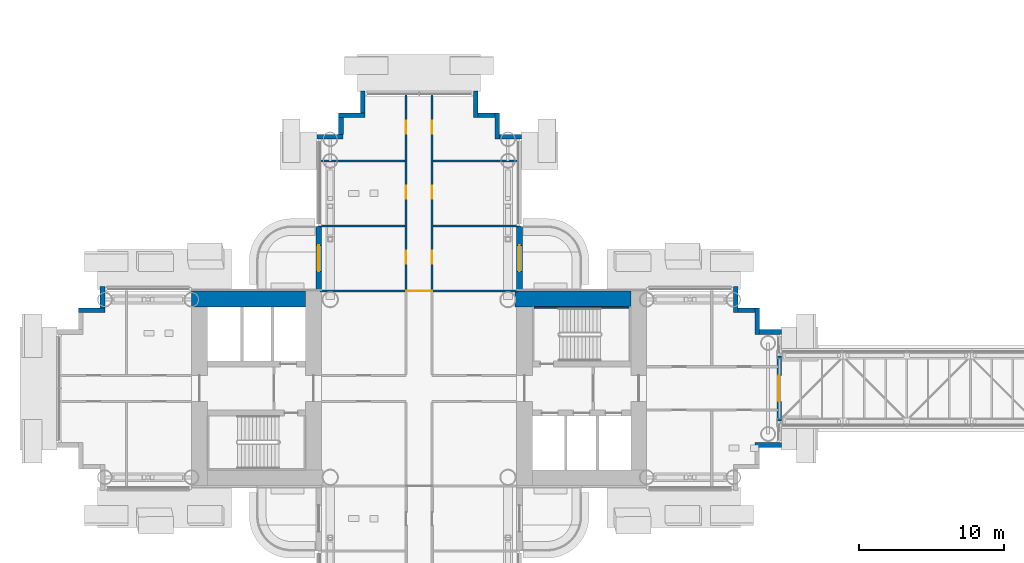
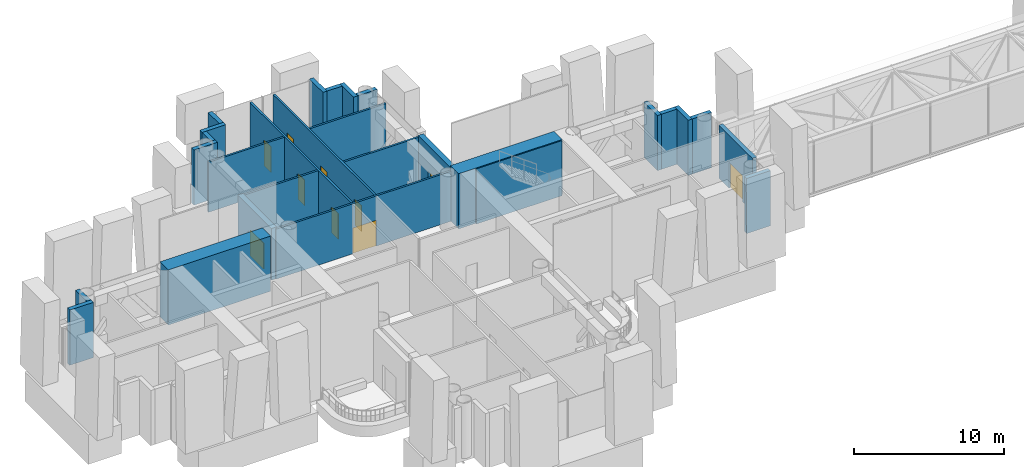
# One storey, part 15 of 27: 28 walls, 10 doors, 10 openings.
"""IFC4 building model written with IfcOpenShell, lengths in metres."""

from ifc_helpers import new_model, si_unit, direction, frame, frame_2d, origin, place, context, subcontext, project, spatial, rectangle, extrude, material, layer, layer_set, type_object, element, fill, save


model = new_model("IFC4")

# Units and contexts
model_context = context("Model", 3, precision=1e-05, world=origin(), true_north=direction((0.0, 1.0)))
body_context = subcontext(model_context, "Body", "Model", "MODEL_VIEW")
ifc_project = project(units=[si_unit("LENGTHUNIT", "METRE"), si_unit("AREAUNIT", "SQUARE_METRE"), si_unit("VOLUMEUNIT", "CUBIC_METRE"), si_unit("PLANEANGLEUNIT", "RADIAN"), si_unit("MASSUNIT", "GRAM", prefix="KILO")], contexts=[model_context])

# Site, building, storey
site_placement = place(None, origin())
site = spatial("IfcSite", under=ifc_project, at=site_placement, CompositionType="ELEMENT")
building_placement = place(site_placement, origin())
building = spatial("IfcBuilding", under=site, at=building_placement, Name="Ipe Terrace Towers", CompositionType="ELEMENT")
storey_placement = place(building_placement, frame((0.0, 0.0, 72.10009765625)))
storey = spatial("IfcBuildingStorey", under=building, at=storey_placement, Name="L19", CompositionType="ELEMENT", Elevation=72.10009765625)

# Wall, opening, door
ifc_material_1 = material(Name="Concrete C40/50 with buff precast cladding", Category="concrete")
ifc_layer_1 = layer(ifc_material_1, 0.39990234375)
ifc_layer_set_1 = layer_set([ifc_layer_1], Name="BALCONY BAY WALL 400")
wall_type_1 = type_object("IfcWallType", Name="BALCONY BAY WALL 400", PredefinedType="STANDARD", material=ifc_layer_set_1)
wall_1_placement = place(storey_placement, frame((-29.050048828125, 6.75, -0.02001953125), z_axis=(0.0, 0.0, 1.0), x_axis=(0.0, 1.0, 0.0)))
wall_1 = element("IfcWall", 1, at=wall_1_placement, inside=storey, type_object=wall_type_1, Name="T1-W-L19-32a wall", PredefinedType="STANDARD", context=body_context, shape_type="SweptSolid", body=[
    extrude(rectangle(XDim=4.5, YDim=0.39990234375, at=frame_2d((2.25, 0.0))), origin(), (0.0, 0.0, 1.0), 4.219970703125),
])
opening_1_placement = place(wall_1_placement, frame((1.35009765625, 0.0, 0.02001953125)))
opening_1 = element("IfcOpeningElement", 2, at=opening_1_placement, cuts=wall_1, Name="Opening T1-D-L19-32", PredefinedType="OPENING", context=body_context, shape_type="SweptSolid", body=[
    extrude(rectangle(XDim=1.800048828125, YDim=2.10009765625, at=frame_2d((0.89990234375, 1.050048828125))), frame((0.0, 0.2099609375, 0.0), z_axis=(0.0, -1.0, 0.0), x_axis=(1.0, 0.0, 0.0)), (0.0, 0.0, 1.0), 0.419921875),
])
ifc_material_2 = material(Name="Aluminium alloy 6063-T6 framed glazed door", Category="aluminium")
door_type_1 = type_object("IfcDoorType", Name="BALCONY DOOR 1800 x 2100 LEFT", OperationType="SINGLE_SWING_LEFT", PredefinedType="DOOR", material=ifc_material_2)
door_1_placement = place(opening_1_placement, origin())
door_1 = element("IfcDoor", 3, at=door_1_placement, inside=storey, type_object=door_type_1, Name="DB1 door", OperationType="SINGLE_SWING_LEFT", OverallHeight=2.10009765625, OverallWidth=1.800048828125, PredefinedType="DOOR", context=body_context, shape_type="SweptSolid", body=[
    extrude(rectangle(XDim=1.800048828125, YDim=2.10009765625, at=frame_2d((0.89990234375, 1.050048828125))), frame((0.0, 0.02490234375, 0.0), z_axis=(0.0, -1.0, 0.0), x_axis=(1.0, 0.0, 0.0)), (0.0, 0.0, 1.0), 0.050048828125),
])
fill(opening_1, door_1)

wall_2_placement = place(storey_placement, frame((-42.949951171875, 11.25, -0.02001953125), z_axis=(0.0, 0.0, 1.0), x_axis=(0.0, -1.0, 0.0)))
wall_2 = element("IfcWall", 4, at=wall_2_placement, inside=storey, type_object=wall_type_1, Name="T1-W-L19-44a wall", PredefinedType="STANDARD", context=body_context, shape_type="SweptSolid", body=[
    extrude(rectangle(XDim=4.5, YDim=0.39990234375, at=frame_2d((2.25, 0.0))), origin(), (0.0, 0.0, 1.0), 4.219970703125),
])
opening_2_placement = place(wall_2_placement, frame((1.35009765625, 0.0, 0.02001953125)))
opening_2 = element("IfcOpeningElement", 5, at=opening_2_placement, cuts=wall_2, Name="Opening T1-D-L19-44", PredefinedType="OPENING", context=body_context, shape_type="SweptSolid", body=[
    extrude(rectangle(XDim=1.800048828125, YDim=2.10009765625, at=frame_2d((0.89990234375, 1.050048828125))), frame((0.0, 0.2099609375, 0.0), z_axis=(0.0, -1.0, 0.0), x_axis=(1.0, 0.0, 0.0)), (0.0, 0.0, 1.0), 0.419921875),
])
door_2_placement = place(opening_2_placement, origin())
door_2 = element("IfcDoor", 6, at=door_2_placement, inside=storey, type_object=door_type_1, Name="DB1 door", OperationType="SINGLE_SWING_LEFT", OverallHeight=2.10009765625, OverallWidth=1.800048828125, PredefinedType="DOOR", context=body_context, shape_type="SweptSolid", body=[
    extrude(rectangle(XDim=1.800048828125, YDim=2.10009765625, at=frame_2d((0.89990234375, 1.050048828125))), frame((0.0, 0.02490234375, 0.0), z_axis=(0.0, -1.0, 0.0), x_axis=(1.0, 0.0, 0.0)), (0.0, 0.0, 1.0), 0.050048828125),
])
fill(opening_2, door_2)

# Wall
ifc_material_3 = material(Name="Concrete C40/50 with buff precast cladding", Category="concrete")
ifc_layer_2 = layer(ifc_material_3, 0.320068359375)
ifc_layer_set_2 = layer_set([ifc_layer_2], Name="BUFF CLADDING WALL 320")
wall_type_2 = type_object("IfcWallType", Name="BUFF CLADDING WALL 320", PredefinedType="STANDARD", material=ifc_layer_set_2)
wall_3_placement = place(storey_placement, frame((-12.75, -3.909912109375, -0.300048828125), z_axis=(0.0, 0.0, 1.0), x_axis=(1.0, 0.0, 0.0)))
element("IfcWall", 7, at=wall_3_placement, inside=storey, type_object=wall_type_2, Name="T1-W-L19-24a wall", PredefinedType="STANDARD", context=body_context, shape_type="SweptSolid", body=[
    extrude(rectangle(XDim=1.820068359375, YDim=0.320068359375, at=frame_2d((0.91015625, 0.0))), origin(), (0.0, 0.0, 1.0), 4.5),
])

# Wall, opening, door
wall_4_placement = place(storey_placement, frame((-11.090087890625, -2.25, -0.1201171875), z_axis=(0.0, 0.0, 1.0), x_axis=(0.0, 1.0, 0.0)))
wall_4 = element("IfcWall", 8, at=wall_4_placement, inside=storey, type_object=wall_type_2, Name="T1-W-L19-25b wall", PredefinedType="STANDARD", context=body_context, shape_type="SweptSolid", body=[
    extrude(rectangle(XDim=4.5, YDim=0.320068359375, at=frame_2d((2.25, 0.0))), origin(), (0.0, 0.0, 1.0), 4.320068359375),
])
opening_3_placement = place(wall_4_placement, frame((1.35009765625, 0.0, 0.0)))
opening_3 = element("IfcOpeningElement", 9, at=opening_3_placement, cuts=wall_4, Name="Opening T1-D-L19-25", PredefinedType="OPENING", context=body_context, shape_type="SweptSolid", body=[
    extrude(rectangle(XDim=1.800048828125, YDim=2.10009765625, at=frame_2d((0.89990234375, 1.050048828125))), frame((0.0, 0.169921875, 0.0), z_axis=(0.0, -1.0, 0.0), x_axis=(1.0, 0.0, 0.0)), (0.0, 0.0, 1.0), 0.340087890625),
])
ifc_material_4 = material(Name="Steel S235 fire door", Category="steel")
door_type_2 = type_object("IfcDoorType", Name="BRIDGE FIRE DOOR 1800 x 2100", OperationType="DOUBLE_DOOR_SINGLE_SWING", PredefinedType="DOOR", material=ifc_material_4)
door_3_placement = place(opening_3_placement, origin())
door_3 = element("IfcDoor", 10, at=door_3_placement, inside=storey, type_object=door_type_2, Name="DF1 door", OperationType="DOUBLE_DOOR_SINGLE_SWING", OverallHeight=2.10009765625, OverallWidth=1.800048828125, PredefinedType="DOOR", context=body_context, shape_type="SweptSolid", body=[
    extrude(rectangle(XDim=1.800048828125, YDim=2.10009765625, at=frame_2d((0.89990234375, 1.050048828125))), frame((0.0, 0.02490234375, 0.0), z_axis=(0.0, -1.0, 0.0), x_axis=(1.0, 0.0, 0.0)), (0.0, 0.0, 1.0), 0.050048828125),
])
fill(opening_3, door_3)

# Walls
wall_5_placement = place(storey_placement, frame((-10.929931640625, 3.909912109375, -0.300048828125), z_axis=(0.0, 0.0, 1.0), x_axis=(-1.0, 0.0, 0.0)))
element("IfcWall", 11, at=wall_5_placement, inside=storey, type_object=wall_type_2, Name="T1-W-L19-26a wall", PredefinedType="STANDARD", context=body_context, shape_type="SweptSolid", body=[
    extrude(rectangle(XDim=1.5, YDim=0.320068359375, at=frame_2d((0.75, 0.0))), origin(), (0.0, 0.0, 1.0), 4.5),
])
wall_6_placement = place(storey_placement, frame((-12.590087890625, 3.75, -0.300048828125), z_axis=(0.0, 0.0, 1.0), x_axis=(0.0, 1.0, 0.0)))
element("IfcWall", 12, at=wall_6_placement, inside=storey, type_object=wall_type_2, Name="T1-W-L19-27a wall", PredefinedType="STANDARD", context=body_context, shape_type="SweptSolid", body=[
    extrude(rectangle(XDim=1.820068359375, YDim=0.320068359375, at=frame_2d((0.91015625, 0.0))), origin(), (0.0, 0.0, 1.0), 4.5),
])
wall_7_placement = place(storey_placement, frame((-12.75, 5.409912109375, -0.300048828125), z_axis=(0.0, 0.0, 1.0), x_axis=(-1.0, 0.0, 0.0)))
element("IfcWall", 13, at=wall_7_placement, inside=storey, type_object=wall_type_2, Name="T1-W-L19-28a wall", PredefinedType="STANDARD", context=body_context, shape_type="SweptSolid", body=[
    extrude(rectangle(XDim=1.179931640625, YDim=0.320068359375, at=frame_2d((0.58984375, 0.0))), origin(), (0.0, 0.0, 1.0), 4.5),
])
wall_8_placement = place(storey_placement, frame((-14.090087890625, 5.25, -0.300048828125), z_axis=(0.0, 0.0, 1.0), x_axis=(0.0, 1.0, 0.0)))
element("IfcWall", 14, at=wall_8_placement, inside=storey, type_object=wall_type_2, Name="T1-W-L19-29a wall", PredefinedType="STANDARD", context=body_context, shape_type="SweptSolid", body=[
    extrude(rectangle(XDim=1.820068359375, YDim=0.320068359375, at=frame_2d((0.91015625, 0.0))), origin(), (0.0, 0.0, 1.0), 4.5),
])
wall_9_placement = place(storey_placement, frame((-28.929931640625, 17.409912109375, -0.300048828125), z_axis=(0.0, 0.0, 1.0), x_axis=(-1.0, 0.0, 0.0)))
element("IfcWall", 15, at=wall_9_placement, inside=storey, type_object=wall_type_2, Name="T1-W-L19-34a wall", PredefinedType="STANDARD", context=body_context, shape_type="SweptSolid", body=[
    extrude(rectangle(XDim=1.5, YDim=0.320068359375, at=frame_2d((0.75, 0.0))), origin(), (0.0, 0.0, 1.0), 4.5),
])
wall_10_placement = place(storey_placement, frame((-30.590087890625, 17.25, -0.300048828125), z_axis=(0.0, 0.0, 1.0), x_axis=(0.0, 1.0, 0.0)))
element("IfcWall", 16, at=wall_10_placement, inside=storey, type_object=wall_type_2, Name="T1-W-L19-35a wall", PredefinedType="STANDARD", context=body_context, shape_type="SweptSolid", body=[
    extrude(rectangle(XDim=1.820068359375, YDim=0.320068359375, at=frame_2d((0.91015625, 0.0))), origin(), (0.0, 0.0, 1.0), 4.5),
])
wall_11_placement = place(storey_placement, frame((-30.75, 18.909912109375, -0.300048828125), z_axis=(0.0, 0.0, 1.0), x_axis=(-1.0, 0.0, 0.0)))
element("IfcWall", 17, at=wall_11_placement, inside=storey, type_object=wall_type_2, Name="T1-W-L19-36a wall", PredefinedType="STANDARD", context=body_context, shape_type="SweptSolid", body=[
    extrude(rectangle(XDim=1.179931640625, YDim=0.320068359375, at=frame_2d((0.58984375, 0.0))), origin(), (0.0, 0.0, 1.0), 4.5),
])
wall_12_placement = place(storey_placement, frame((-32.090087890625, 18.75, -0.300048828125), z_axis=(0.0, 0.0, 1.0), x_axis=(0.0, 1.0, 0.0)))
element("IfcWall", 18, at=wall_12_placement, inside=storey, type_object=wall_type_2, Name="T1-W-L19-37a wall", PredefinedType="STANDARD", context=body_context, shape_type="SweptSolid", body=[
    extrude(rectangle(XDim=1.820068359375, YDim=0.320068359375, at=frame_2d((0.91015625, 0.0))), origin(), (0.0, 0.0, 1.0), 4.5),
])
wall_13_placement = place(storey_placement, frame((-39.909912109375, 20.570068359375, -0.300048828125), z_axis=(0.0, 0.0, 1.0), x_axis=(0.0, -1.0, 0.0)))
element("IfcWall", 19, at=wall_13_placement, inside=storey, type_object=wall_type_2, Name="T1-W-L19-39a wall", PredefinedType="STANDARD", context=body_context, shape_type="SweptSolid", body=[
    extrude(rectangle(XDim=1.5, YDim=0.320068359375, at=frame_2d((0.75, 0.0))), origin(), (0.0, 0.0, 1.0), 4.5),
])
wall_14_placement = place(storey_placement, frame((-39.75, 18.909912109375, -0.300048828125), z_axis=(0.0, 0.0, 1.0), x_axis=(-1.0, 0.0, 0.0)))
element("IfcWall", 20, at=wall_14_placement, inside=storey, type_object=wall_type_2, Name="T1-W-L19-40a wall", PredefinedType="STANDARD", context=body_context, shape_type="SweptSolid", body=[
    extrude(rectangle(XDim=1.820068359375, YDim=0.320068359375, at=frame_2d((0.91015625, 0.0))), origin(), (0.0, 0.0, 1.0), 4.5),
])
wall_15_placement = place(storey_placement, frame((-41.409912109375, 18.75, -0.300048828125), z_axis=(0.0, 0.0, 1.0), x_axis=(0.0, -1.0, 0.0)))
element("IfcWall", 21, at=wall_15_placement, inside=storey, type_object=wall_type_2, Name="T1-W-L19-41a wall", PredefinedType="STANDARD", context=body_context, shape_type="SweptSolid", body=[
    extrude(rectangle(XDim=1.179931640625, YDim=0.320068359375, at=frame_2d((0.58984375, 0.0))), origin(), (0.0, 0.0, 1.0), 4.5),
])
wall_16_placement = place(storey_placement, frame((-41.25, 17.409912109375, -0.300048828125), z_axis=(0.0, 0.0, 1.0), x_axis=(-1.0, 0.0, 0.0)))
element("IfcWall", 22, at=wall_16_placement, inside=storey, type_object=wall_type_2, Name="T1-W-L19-42a wall", PredefinedType="STANDARD", context=body_context, shape_type="SweptSolid", body=[
    extrude(rectangle(XDim=1.820068359375, YDim=0.320068359375, at=frame_2d((0.91015625, 0.0))), origin(), (0.0, 0.0, 1.0), 4.5),
])
wall_17_placement = place(storey_placement, frame((-57.909912109375, 7.070068359375, -0.300048828125), z_axis=(0.0, 0.0, 1.0), x_axis=(0.0, -1.0, 0.0)))
element("IfcWall", 23, at=wall_17_placement, inside=storey, type_object=wall_type_2, Name="T1-W-L19-47a wall", PredefinedType="STANDARD", context=body_context, shape_type="SweptSolid", body=[
    extrude(rectangle(XDim=1.5, YDim=0.320068359375, at=frame_2d((0.75, 0.0))), origin(), (0.0, 0.0, 1.0), 4.5),
])
wall_18_placement = place(storey_placement, frame((-57.75, 5.409912109375, -0.300048828125), z_axis=(0.0, 0.0, 1.0), x_axis=(-1.0, 0.0, 0.0)))
element("IfcWall", 24, at=wall_18_placement, inside=storey, type_object=wall_type_2, Name="T1-W-L19-48a wall", PredefinedType="STANDARD", context=body_context, shape_type="SweptSolid", body=[
    extrude(rectangle(XDim=1.820068359375, YDim=0.320068359375, at=frame_2d((0.91015625, 0.0))), origin(), (0.0, 0.0, 1.0), 4.5),
])

# Wall, opening, door
ifc_material_5 = material(Name="Gypsum board partition", Category="plasterboard")
ifc_layer_3 = layer(ifc_material_5, 0.14990234375)
ifc_layer_set_3 = layer_set([ifc_layer_3], Name="Gypsum board partition 150 mm")
wall_type_3 = type_object("IfcWallType", Name="Gypsum board partition 150 mm", PredefinedType="PARTITIONING", material=ifc_layer_set_3)
wall_19_placement = place(storey_placement, frame((-42.85009765625, 6.75, 0.0), z_axis=(0.0, 0.0, 1.0), x_axis=(1.0, 0.0, 0.0)))
wall_19 = element("IfcWall", 25, at=wall_19_placement, inside=storey, type_object=wall_type_3, Name="Gypsum board partition T1 L19 sp-Sp-mouth", PredefinedType="PARTITIONING", context=body_context, shape_type="SweptSolid", body=[
    extrude(rectangle(XDim=13.7001953125, YDim=0.14990234375, at=frame_2d((6.85009765625, 0.0))), origin(), (0.0, 0.0, 1.0), 4.079833984375),
])
opening_4_placement = place(wall_19_placement, frame((5.949951171875, 0.0, 0.0)))
opening_4 = element("IfcOpeningElement", 26, at=opening_4_placement, cuts=wall_19, Name="Opening T1-SP-MSp", PredefinedType="OPENING", context=body_context, shape_type="SweptSolid", body=[
    extrude(rectangle(XDim=1.800048828125, YDim=2.10009765625, at=frame_2d((0.89990234375, 1.050048828125))), frame((0.0, 0.0849609375, 0.0), z_axis=(0.0, -1.0, 0.0), x_axis=(1.0, 0.0, 0.0)), (0.0, 0.0, 1.0), 0.169921875),
])
ifc_material_6 = material(Name="Fire-rated timber door leaf", Category="wood")
door_type_3 = type_object("IfcDoorType", Name="Lobby door 1800 x 2100 FD30S", OperationType="NOTDEFINED", PredefinedType="DOOR", material=ifc_material_6)
door_4_placement = place(opening_4_placement, origin())
door_4 = element("IfcDoor", 27, at=door_4_placement, inside=storey, type_object=door_type_3, Name="Lobby door T1-SP-MSp", OperationType="SINGLE_SWING_LEFT", OverallHeight=2.10009765625, OverallWidth=1.800048828125, PredefinedType="DOOR", context=body_context, shape_type="SweptSolid", body=[
    extrude(rectangle(XDim=1.800048828125, YDim=2.10009765625, at=frame_2d((0.89990234375, 1.050048828125))), frame((0.0, 0.02490234375, 0.0), z_axis=(0.0, -1.0, 0.0), x_axis=(1.0, 0.0, 0.0)), (0.0, 0.0, 1.0), 0.050048828125),
])
fill(opening_4, door_4)

# Wall, openings, doors
wall_20_placement = place(storey_placement, frame((-35.10009765625, 6.824951171875, 0.0), z_axis=(0.0, 0.0, 1.0), x_axis=(0.0, 1.0, 0.0)))
wall_20 = element("IfcWall", 28, at=wall_20_placement, inside=storey, type_object=wall_type_3, Name="Gypsum board partition T1 L19 sp-Sp-wp", PredefinedType="PARTITIONING", context=body_context, shape_type="SweptSolid", body=[
    extrude(rectangle(XDim=13.525146484375, YDim=0.14990234375, at=frame_2d((6.7626953125, 0.0))), origin(), (0.0, 0.0, 1.0), 4.079833984375),
])
opening_5_placement = place(wall_20_placement, frame((1.800048828125, 0.0, 0.0)))
opening_5 = element("IfcOpeningElement", 29, at=opening_5_placement, cuts=wall_20, Name="Opening T1-SP-PSp1", PredefinedType="OPENING", context=body_context, shape_type="SweptSolid", body=[
    extrude(rectangle(XDim=0.89990234375, YDim=2.10009765625, at=frame_2d((0.449951171875, 1.050048828125))), frame((0.0, 0.0849609375, 0.0), z_axis=(0.0, -1.0, 0.0), x_axis=(1.0, 0.0, 0.0)), (0.0, 0.0, 1.0), 0.169921875),
])
opening_6_placement = place(wall_20_placement, frame((6.300048828125, 0.0, 0.0)))
opening_6 = element("IfcOpeningElement", 30, at=opening_6_placement, cuts=wall_20, Name="Opening T1-SP-PSp2", PredefinedType="OPENING", context=body_context, shape_type="SweptSolid", body=[
    extrude(rectangle(XDim=0.89990234375, YDim=2.10009765625, at=frame_2d((0.449951171875, 1.050048828125))), frame((0.0, 0.0849609375, 0.0), z_axis=(0.0, -1.0, 0.0), x_axis=(1.0, 0.0, 0.0)), (0.0, 0.0, 1.0), 0.169921875),
])
opening_7_placement = place(wall_20_placement, frame((10.800048828125, 0.0, 0.0)))
opening_7 = element("IfcOpeningElement", 31, at=opening_7_placement, cuts=wall_20, Name="Opening T1-SP-PSp3", PredefinedType="OPENING", context=body_context, shape_type="SweptSolid", body=[
    extrude(rectangle(XDim=0.89990234375, YDim=2.10009765625, at=frame_2d((0.449951171875, 1.050048828125))), frame((0.0, 0.0849609375, 0.0), z_axis=(0.0, -1.0, 0.0), x_axis=(1.0, 0.0, 0.0)), (0.0, 0.0, 1.0), 0.169921875),
])
ifc_material_7 = material(Name="Fire-rated timber door leaf", Category="wood")
door_type_4 = type_object("IfcDoorType", Name="Lounge door 900 x 2100 FD30S", OperationType="NOTDEFINED", PredefinedType="DOOR", material=ifc_material_7)
door_5_placement = place(opening_5_placement, origin())
door_5 = element("IfcDoor", 32, at=door_5_placement, inside=storey, type_object=door_type_4, Name="Lounge door T1-SP-PSp1", OperationType="SINGLE_SWING_LEFT", OverallHeight=2.10009765625, OverallWidth=0.89990234375, PredefinedType="DOOR", context=body_context, shape_type="SweptSolid", body=[
    extrude(rectangle(XDim=0.89990234375, YDim=2.10009765625, at=frame_2d((0.449951171875, 1.050048828125))), frame((0.0, 0.02490234375, 0.0), z_axis=(0.0, -1.0, 0.0), x_axis=(1.0, 0.0, 0.0)), (0.0, 0.0, 1.0), 0.050048828125),
])
fill(opening_5, door_5)
door_6_placement = place(opening_6_placement, origin())
door_6 = element("IfcDoor", 33, at=door_6_placement, inside=storey, type_object=door_type_4, Name="Lounge door T1-SP-PSp2", OperationType="SINGLE_SWING_RIGHT", OverallHeight=2.10009765625, OverallWidth=0.89990234375, PredefinedType="DOOR", context=body_context, shape_type="SweptSolid", body=[
    extrude(rectangle(XDim=0.89990234375, YDim=2.10009765625, at=frame_2d((0.449951171875, 1.050048828125))), frame((0.0, 0.02490234375, 0.0), z_axis=(0.0, -1.0, 0.0), x_axis=(1.0, 0.0, 0.0)), (0.0, 0.0, 1.0), 0.050048828125),
])
fill(opening_6, door_6)
door_7_placement = place(opening_7_placement, origin())
door_7 = element("IfcDoor", 34, at=door_7_placement, inside=storey, type_object=door_type_4, Name="Lounge door T1-SP-PSp3", OperationType="SINGLE_SWING_LEFT", OverallHeight=2.10009765625, OverallWidth=0.89990234375, PredefinedType="DOOR", context=body_context, shape_type="SweptSolid", body=[
    extrude(rectangle(XDim=0.89990234375, YDim=2.10009765625, at=frame_2d((0.449951171875, 1.050048828125))), frame((0.0, 0.02490234375, 0.0), z_axis=(0.0, -1.0, 0.0), x_axis=(1.0, 0.0, 0.0)), (0.0, 0.0, 1.0), 0.050048828125),
])
fill(opening_7, door_7)

# Walls
for number, where, z_axis, x_axis, name in (
    (35, (-35.02490234375, 11.25, 0.0), (0.0, 0.0, 1.0), (1.0, 0.0, 0.0), "Gypsum board partition T1 L19 sp-Sp-dp1"),
    (36, (-35.02490234375, 15.75, 0.0), (0.0, 0.0, 1.0), (1.0, 0.0, 0.0), "Gypsum board partition T1 L19 sp-Sp-dp2"),
):
    element("IfcWall", number, at=place(storey_placement, frame(where, z_axis=z_axis, x_axis=x_axis)), inside=storey, type_object=wall_type_3, Name=name, PredefinedType="PARTITIONING", context=body_context, shape_type="SweptSolid", body=[
        extrude(rectangle(XDim=5.875, YDim=0.14990234375, at=frame_2d((2.9375, 0.0))), origin(), (0.0, 0.0, 1.0), 4.079833984375),
    ])

# Wall, openings, doors
wall_21_placement = place(storey_placement, frame((-36.89990234375, 6.824951171875, 0.0), z_axis=(0.0, 0.0, 1.0), x_axis=(0.0, 1.0, 0.0)))
wall_21 = element("IfcWall", 37, at=wall_21_placement, inside=storey, type_object=wall_type_3, Name="Gypsum board partition T1 L19 sp-Sp-wm", PredefinedType="PARTITIONING", context=body_context, shape_type="SweptSolid", body=[
    extrude(rectangle(XDim=13.525146484375, YDim=0.14990234375, at=frame_2d((6.7626953125, 0.0))), origin(), (0.0, 0.0, 1.0), 4.079833984375),
])
opening_8_placement = place(wall_21_placement, frame((1.800048828125, 0.0, 0.0)))
opening_8 = element("IfcOpeningElement", 38, at=opening_8_placement, cuts=wall_21, Name="Opening T1-SP-MSp1", PredefinedType="OPENING", context=body_context, shape_type="SweptSolid", body=[
    extrude(rectangle(XDim=0.89990234375, YDim=2.10009765625, at=frame_2d((0.449951171875, 1.050048828125))), frame((0.0, 0.0849609375, 0.0), z_axis=(0.0, -1.0, 0.0), x_axis=(1.0, 0.0, 0.0)), (0.0, 0.0, 1.0), 0.169921875),
])
opening_9_placement = place(wall_21_placement, frame((6.300048828125, 0.0, 0.0)))
opening_9 = element("IfcOpeningElement", 39, at=opening_9_placement, cuts=wall_21, Name="Opening T1-SP-MSp2", PredefinedType="OPENING", context=body_context, shape_type="SweptSolid", body=[
    extrude(rectangle(XDim=0.89990234375, YDim=2.10009765625, at=frame_2d((0.449951171875, 1.050048828125))), frame((0.0, 0.0849609375, 0.0), z_axis=(0.0, -1.0, 0.0), x_axis=(1.0, 0.0, 0.0)), (0.0, 0.0, 1.0), 0.169921875),
])
opening_10_placement = place(wall_21_placement, frame((10.800048828125, 0.0, 0.0)))
opening_10 = element("IfcOpeningElement", 40, at=opening_10_placement, cuts=wall_21, Name="Opening T1-SP-MSp3", PredefinedType="OPENING", context=body_context, shape_type="SweptSolid", body=[
    extrude(rectangle(XDim=0.89990234375, YDim=2.10009765625, at=frame_2d((0.449951171875, 1.050048828125))), frame((0.0, 0.0849609375, 0.0), z_axis=(0.0, -1.0, 0.0), x_axis=(1.0, 0.0, 0.0)), (0.0, 0.0, 1.0), 0.169921875),
])
ifc_material_8 = material(Name="Timber door leaf", Category="wood")
door_type_5 = type_object("IfcDoorType", Name="Lounge door 900 x 2100", OperationType="NOTDEFINED", PredefinedType="DOOR", material=ifc_material_8)
door_8_placement = place(opening_9_placement, origin())
door_8 = element("IfcDoor", 41, at=door_8_placement, inside=storey, type_object=door_type_5, Name="Lounge door T1-SP-MSp2", OperationType="SINGLE_SWING_LEFT", OverallHeight=2.10009765625, OverallWidth=0.89990234375, PredefinedType="DOOR", context=body_context, shape_type="SweptSolid", body=[
    extrude(rectangle(XDim=0.89990234375, YDim=2.10009765625, at=frame_2d((0.449951171875, 1.050048828125))), frame((0.0, 0.02490234375, 0.0), z_axis=(0.0, -1.0, 0.0), x_axis=(1.0, 0.0, 0.0)), (0.0, 0.0, 1.0), 0.050048828125),
])
fill(opening_9, door_8)
door_9_placement = place(opening_8_placement, origin())
door_9 = element("IfcDoor", 42, at=door_9_placement, inside=storey, type_object=door_type_4, Name="Lounge door T1-SP-MSp1", OperationType="SINGLE_SWING_RIGHT", OverallHeight=2.10009765625, OverallWidth=0.89990234375, PredefinedType="DOOR", context=body_context, shape_type="SweptSolid", body=[
    extrude(rectangle(XDim=0.89990234375, YDim=2.10009765625, at=frame_2d((0.449951171875, 1.050048828125))), frame((0.0, 0.02490234375, 0.0), z_axis=(0.0, -1.0, 0.0), x_axis=(1.0, 0.0, 0.0)), (0.0, 0.0, 1.0), 0.050048828125),
])
fill(opening_8, door_9)
door_10_placement = place(opening_10_placement, origin())
door_10 = element("IfcDoor", 43, at=door_10_placement, inside=storey, type_object=door_type_4, Name="Lounge door T1-SP-MSp3", OperationType="SINGLE_SWING_RIGHT", OverallHeight=2.10009765625, OverallWidth=0.89990234375, PredefinedType="DOOR", context=body_context, shape_type="SweptSolid", body=[
    extrude(rectangle(XDim=0.89990234375, YDim=2.10009765625, at=frame_2d((0.449951171875, 1.050048828125))), frame((0.0, 0.02490234375, 0.0), z_axis=(0.0, -1.0, 0.0), x_axis=(1.0, 0.0, 0.0)), (0.0, 0.0, 1.0), 0.050048828125),
])
fill(opening_10, door_10)

# Walls
for number, where, z_axis, x_axis, name in (
    (44, (-36.97509765625, 11.25, 0.0), (0.0, 0.0, 1.0), (-1.0, 0.0, 0.0), "Gypsum board partition T1 L19 sp-Sp-dm1"),
    (45, (-36.97509765625, 15.75, 0.0), (0.0, 0.0, 1.0), (-1.0, 0.0, 0.0), "Gypsum board partition T1 L19 sp-Sp-dm2"),
):
    element("IfcWall", number, at=place(storey_placement, frame(where, z_axis=z_axis, x_axis=x_axis)), inside=storey, type_object=wall_type_3, Name=name, PredefinedType="PARTITIONING", context=body_context, shape_type="SweptSolid", body=[
        extrude(rectangle(XDim=5.875, YDim=0.14990234375, at=frame_2d((2.9375, 0.0))), origin(), (0.0, 0.0, 1.0), 4.079833984375),
    ])
ifc_material_9 = material(Name="Concrete C60/75", Category="concrete")
ifc_layer_4 = layer(ifc_material_9, 0.10009765625)
ifc_layer_set_4 = layer_set([ifc_layer_4], Name="RW100 CORE INFILL WALL 100 C60-75")
wall_type_4 = type_object("IfcWallType", Name="RW100 CORE INFILL WALL 100 C60-75", PredefinedType="SHEAR", material=ifc_layer_set_4)
wall_22_placement = place(storey_placement, frame((-28.050048828125, 5.60009765625, 0.0), z_axis=(0.0, 0.0, 1.0), x_axis=(1.0, 0.0, 0.0)))
element("IfcWall", 46, at=wall_22_placement, inside=storey, type_object=wall_type_4, Name="Core infill wall T1-C1-back", PredefinedType="SHEAR", context=body_context, shape_type="SweptSolid", body=[
    extrude(rectangle(XDim=6.60009765625, YDim=0.10009765625, at=frame_2d((3.300048828125, 0.0))), origin(), (0.0, 0.0, 1.0), 4.5),
])
ifc_material_10 = material(Name="Concrete C60/75", Category="concrete")
ifc_layer_5 = layer(ifc_material_10, 1.10009765625)
ifc_layer_set_5 = layer_set([ifc_layer_5], Name="RW1100 CORE WALL 1100 C60-75")
wall_type_5 = type_object("IfcWallType", Name="RW1100 CORE WALL 1100 C60-75", PredefinedType="SHEAR", material=ifc_layer_set_5)
wall_23_placement = place(storey_placement, frame((-21.35009765625, 6.199951171875, 0.0), z_axis=(0.0, 0.0, 1.0), x_axis=(-1.0, 0.0, 0.0)))
element("IfcWall", 47, at=wall_23_placement, inside=storey, type_object=wall_type_5, Name="Core wall T1-C1-Z1-W03", PredefinedType="SHEAR", context=body_context, shape_type="SweptSolid", body=[
    extrude(rectangle(XDim=7.997802734375, YDim=1.10009765625, at=frame_2d((3.9990234375, 0.0))), origin(), (0.0, 0.0, 1.0), 4.5),
])
wall_24_placement = place(storey_placement, frame((-43.85009765625, 6.199951171875, 0.0), z_axis=(0.0, 0.0, 1.0), x_axis=(-1.0, 0.0, 0.0)))
element("IfcWall", 48, at=wall_24_placement, inside=storey, type_object=wall_type_5, Name="Core wall T1-C2-Z1-W03", PredefinedType="SHEAR", context=body_context, shape_type="SweptSolid", body=[
    extrude(rectangle(XDim=7.89990234375, YDim=1.10009765625, at=frame_2d((3.949951171875, 0.0))), origin(), (0.0, 0.0, 1.0), 4.5),
])

save(model, "model.ifc")
